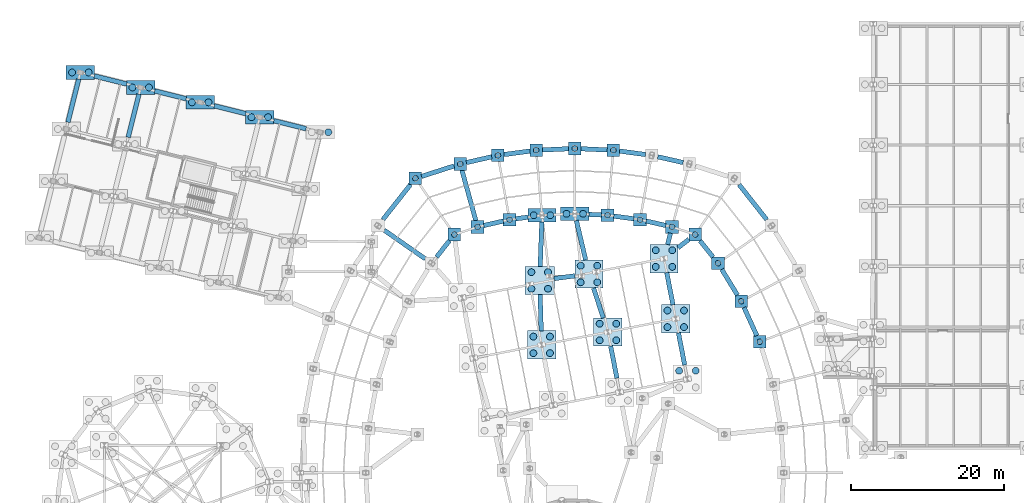
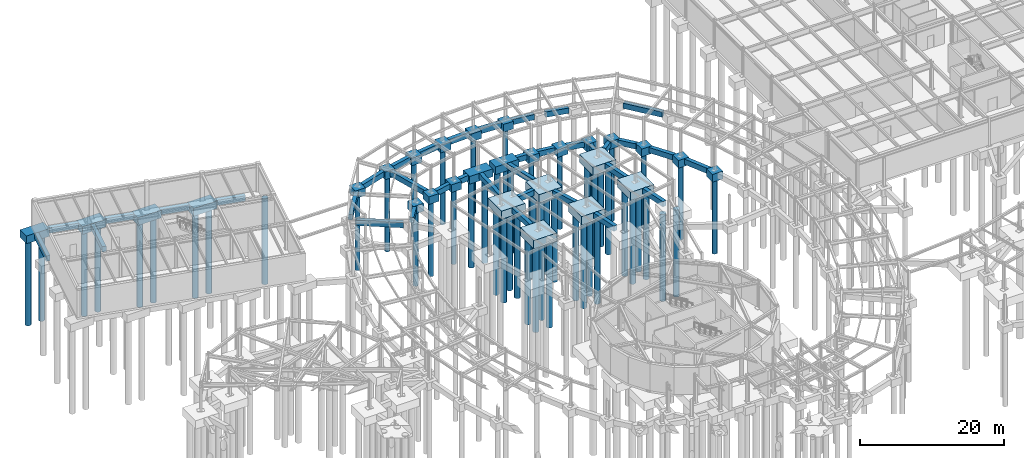
# One storey, part 7 of 50: 64 footings, 55 piles.
"""IFC4 building model written with IfcOpenShell, lengths in metres."""

from ifc_helpers import new_model, si_unit, direction, frame, origin, origin_2d, place, context, subcontext, project, spatial, rectangle, circle, extrude, material, material_profile, profile_set, type_object, element, save


model = new_model("IFC4")

# Units and contexts
model_context = context("Model", 3, precision=1e-05, world=origin(), true_north=direction((0.0, 1.0)))
body_context = subcontext(model_context, "Body", "Model", "MODEL_VIEW")
ifc_project = project(units=[si_unit("LENGTHUNIT", "METRE"), si_unit("AREAUNIT", "SQUARE_METRE"), si_unit("VOLUMEUNIT", "CUBIC_METRE"), si_unit("PLANEANGLEUNIT", "RADIAN"), si_unit("MASSUNIT", "GRAM", prefix="KILO")], contexts=[model_context])

# Site, building, storey
site_placement = place(None, origin())
site = spatial("IfcSite", under=ifc_project, at=site_placement, CompositionType="ELEMENT")
building_placement = place(site_placement, origin())
building = spatial("IfcBuilding", under=site, at=building_placement, Name="Varnklinge Art Gallery", CompositionType="ELEMENT")
storey_placement = place(building_placement, frame((0.0, 0.0, -4.800048828125)))
storey = spatial("IfcBuildingStorey", under=building, at=storey_placement, Name="B01", CompositionType="ELEMENT", Elevation=-4.800048828125)

# Footings
ifc_material_1 = material(Name="Concrete C35/45", Category="concrete")
footing_type_1 = type_object("IfcFootingType", Name="FB-08", PredefinedType="FOOTING_BEAM", material=ifc_material_1)
for number, where, z_axis, x_axis, name in (
    (1, (64.91259765625, 87.507568359375, -0.89990234375), (0.0, 0.0, 1.0), (0.975033218117, 0.222059054235, 0.0), "B01 Ground Tie Beam FBM-220"),
    (2, (86.08740234375, 87.507568359375, -0.89990234375), (0.0, 0.0, 1.0), (-0.975033218117, 0.222059054235, 0.0), "B01 Ground Tie Beam FBM-222"),
):
    element("IfcFooting", number, at=place(storey_placement, frame(where, z_axis=z_axis, x_axis=x_axis)), inside=storey, type_object=footing_type_1, Name=name, PredefinedType="FOOTING_BEAM", context=body_context, shape_type="SweptSolid", body=[
        extrude(rectangle(XDim=2.62255859375, YDim=0.60009765625, at=origin_2d()), origin(), (0.0, 0.0, 1.0), 0.89990234375),
    ])
footing_1_placement = place(storey_placement, frame((81.886474609375, 88.26806640625, -0.89990234375), z_axis=(0.0, 0.0, 1.0), x_axis=(-0.991006569622, 0.133813224182, 0.0)))
element("IfcFooting", 3, at=footing_1_placement, inside=storey, type_object=footing_type_1, Name="B01 Ground Tie Beam FBM-228", PredefinedType="FOOTING_BEAM", context=body_context, shape_type="SweptSolid", body=[
    extrude(rectangle(XDim=2.648681640625, YDim=0.60009765625, at=origin_2d()), origin(), (0.0, 0.0, 1.0), 0.89990234375),
])
ifc_material_2 = material(Name="Concrete C35/45", Category="concrete")
footing_type_2 = type_object("IfcFootingType", Name="FB-09", PredefinedType="FOOTING_BEAM", material=ifc_material_2)
for number, where, z_axis, x_axis, name in (
    (4, (63.02490234375, 95.7958984375, -0.89990234375), (0.0, 0.0, 1.0), (0.975033218117, 0.222059054235, 0.0), "B01 Ground Tie Beam FBM-243"),
    (5, (87.97509765625, 95.7958984375, -0.89990234375), (0.0, 0.0, 1.0), (-0.975033218117, 0.222059054235, 0.0), "B01 Ground Tie Beam FBM-244"),
):
    element("IfcFooting", number, at=place(storey_placement, frame(where, z_axis=z_axis, x_axis=x_axis)), inside=storey, type_object=footing_type_2, Name=name, PredefinedType="FOOTING_BEAM", context=body_context, shape_type="SweptSolid", body=[
        extrude(rectangle(XDim=3.384521484375, YDim=0.60009765625, at=origin_2d()), origin(), (0.0, 0.0, 1.0), 0.89990234375),
    ])
for number, where, z_axis, x_axis, name in (
    (6, (67.97509765625, 96.69189453125, -0.89990234375), (0.0, 0.0, 1.0), (0.991006569622, 0.133813224182, 0.0), "B01 Ground Tie Beam FBM-245"),
    (7, (83.02490234375, 96.69189453125, -0.89990234375), (0.0, 0.0, 1.0), (-0.991006569622, 0.133813224182, 0.0), "B01 Ground Tie Beam FBM-246"),
):
    element("IfcFooting", number, at=place(storey_placement, frame(where, z_axis=z_axis, x_axis=x_axis)), inside=storey, type_object=footing_type_2, Name=name, PredefinedType="FOOTING_BEAM", context=body_context, shape_type="SweptSolid", body=[
        extrude(rectangle(XDim=3.41064453125, YDim=0.60009765625, at=origin_2d()), origin(), (0.0, 0.0, 1.0), 0.89990234375),
    ])
for number, where, z_axis, x_axis, name in (
    (8, (72.985107421875, 97.14208984375, -0.89990234375), (0.0, 0.0, 1.0), (0.998994184858, 0.044839922168, 0.0), "B01 Ground Tie Beam FBM-247"),
    (9, (78.014892578125, 97.14208984375, -0.89990234375), (0.0, 0.0, 1.0), (-0.998994184858, 0.044839922168, 0.0), "B01 Ground Tie Beam FBM-248"),
):
    element("IfcFooting", number, at=place(storey_placement, frame(where, z_axis=z_axis, x_axis=x_axis)), inside=storey, type_object=footing_type_2, Name=name, PredefinedType="FOOTING_BEAM", context=body_context, shape_type="SweptSolid", body=[
        extrude(rectangle(XDim=3.423583984375, YDim=0.60009765625, at=origin_2d()), origin(), (0.0, 0.0, 1.0), 0.89990234375),
    ])
ifc_material_3 = material(Name="Concrete C35/45", Category="concrete")
footing_type_3 = type_object("IfcFootingType", Name="FB-11", PredefinedType="FOOTING_BEAM", material=ifc_material_3)
footing_2_placement = place(storey_placement, frame((61.699462890625, 91.135009765625, -0.89990234375), z_axis=(0.0, 0.0, 1.0), x_axis=(-0.265556117487, 0.964095404234, 0.0)))
element("IfcFooting", 10, at=footing_2_placement, inside=storey, type_object=footing_type_3, Name="B01 Ground Tie Beam FBM-221", PredefinedType="FOOTING_BEAM", context=body_context, shape_type="SweptSolid", body=[
    extrude(rectangle(XDim=6.83935546875, YDim=0.60009765625, at=origin_2d()), origin(), (0.0, 0.0, 1.0), 0.89990234375),
])
ifc_material_4 = material(Name="Concrete C35/45", Category="concrete")
footing_type_4 = type_object("IfcFootingType", Name="FB-13", PredefinedType="FOOTING_BEAM", material=ifc_material_4)
footing_3_placement = place(storey_placement, frame((89.6689453125, 84.870849609375, -0.89990234375), z_axis=(0.0, 0.0, 1.0), x_axis=(0.79175688964, 0.610836334633, 0.0)))
element("IfcFooting", 11, at=footing_3_placement, inside=storey, type_object=footing_type_4, Name="B01 Ground Tie Beam FBM-213", PredefinedType="FOOTING_BEAM", context=body_context, shape_type="SweptSolid", body=[
    extrude(rectangle(XDim=1.79833984375, YDim=0.60009765625, at=origin_2d()), origin(), (0.0, 0.0, 1.0), 0.89990234375),
])
ifc_material_5 = material(Name="Concrete C35/45", Category="concrete")
footing_type_5 = type_object("IfcFootingType", Name="FB-14", PredefinedType="FOOTING_BEAM", material=ifc_material_5)
for number, where, z_axis, x_axis, name in (
    (12, (80.58251953125, 69.41357421875, -0.89990234375), (0.0, 0.0, 1.0), (-0.190808995377, 0.981627183448, 0.0), "B01 Ground Tie Beam FBM-165"),
    (13, (89.4169921875, 71.130615234375, -0.89990234375), (0.0, 0.0, 1.0), (-0.190808995377, 0.981627183448, 0.0), "B01 Ground Tie Beam FBM-172"),
    (14, (87.890380859375, 78.9833984375, -0.89990234375), (0.0, 0.0, 1.0), (-0.190808995377, 0.981627183448, 0.0), "B01 Ground Tie Beam FBM-186"),
):
    element("IfcFooting", number, at=place(storey_placement, frame(where, z_axis=z_axis, x_axis=x_axis)), inside=storey, type_object=footing_type_5, Name=name, PredefinedType="FOOTING_BEAM", context=body_context, shape_type="SweptSolid", body=[
        extrude(rectangle(XDim=4.271484375, YDim=0.60009765625, at=origin_2d()), origin(), (0.0, 0.0, 1.0), 0.89990234375),
    ])
footing_4_placement = place(storey_placement, frame((30.56640625, 102.302490234375, -1.199951171875), z_axis=(0.0, 0.0, 1.0), x_axis=(-0.970295726276, 0.2419218956, 0.0)))
element("IfcFooting", 15, at=footing_4_placement, inside=storey, type_object=footing_type_5, Name="B01 Ground Tie Beam FBM-256", PredefinedType="FOOTING_BEAM", context=body_context, shape_type="SweptSolid", body=[
    extrude(rectangle(XDim=4.228515625, YDim=0.60009765625, at=origin_2d()), origin(), (0.0, 0.0, 1.0), 0.89990234375),
])
footing_5_placement = place(storey_placement, frame((22.803955078125, 104.238037109375, -1.199951171875), z_axis=(0.0, 0.0, 1.0), x_axis=(-0.970295726276, 0.2419218956, 0.0)))
element("IfcFooting", 16, at=footing_5_placement, inside=storey, type_object=footing_type_5, Name="B01 Ground Tie Beam FBM-257", PredefinedType="FOOTING_BEAM", context=body_context, shape_type="SweptSolid", body=[
    extrude(rectangle(XDim=4.227783203125, YDim=0.60009765625, at=origin_2d()), origin(), (0.0, 0.0, 1.0), 0.89990234375),
])
ifc_material_6 = material(Name="Concrete C35/45", Category="concrete")
footing_type_6 = type_object("IfcFootingType", Name="FB-15", PredefinedType="FOOTING_BEAM", material=ifc_material_6)
footing_6_placement = place(storey_placement, frame((74.16162109375, 80.479736328125, -0.89990234375), z_axis=(0.0, 0.0, 1.0), x_axis=(0.991558389436, 0.12966094377, 0.0)))
element("IfcFooting", 17, at=footing_6_placement, inside=storey, type_object=footing_type_6, Name="B01 Ground Tie Beam FBM-196", PredefinedType="FOOTING_BEAM", context=body_context, shape_type="SweptSolid", body=[
    extrude(rectangle(XDim=2.73193359375, YDim=0.60009765625, at=origin_2d()), origin(), (0.0, 0.0, 1.0), 0.89990234375),
])
for number, where, z_axis, x_axis, name in (
    (18, (58.325439453125, 84.172607421875, -0.89990234375), (0.0, 0.0, 1.0), (0.623060848454, 0.782173368969, 0.0), "B01 Ground Tie Beam FBM-210"),
    (19, (92.674560546875, 84.172607421875, -0.89990234375), (0.0, 0.0, 1.0), (-0.623060848454, 0.782173368969, 0.0), "B01 Ground Tie Beam FBM-211"),
):
    element("IfcFooting", number, at=place(storey_placement, frame(where, z_axis=z_axis, x_axis=x_axis)), inside=storey, type_object=footing_type_6, Name=name, PredefinedType="FOOTING_BEAM", context=body_context, shape_type="SweptSolid", body=[
        extrude(rectangle(XDim=2.719482421875, YDim=0.60009765625, at=origin_2d()), origin(), (0.0, 0.0, 1.0), 0.89990234375),
    ])
ifc_material_7 = material(Name="Concrete C35/45", Category="concrete")
footing_type_7 = type_object("IfcFootingType", Name="FB-16", PredefinedType="FOOTING_BEAM", material=ifc_material_7)
footing_7_placement = place(storey_placement, frame((57.6494140625, 94.298583984375, -0.89990234375), z_axis=(0.0, 0.0, 1.0), x_axis=(0.952076024345, 0.305861478234, 0.0)))
element("IfcFooting", 20, at=footing_7_placement, inside=storey, type_object=footing_type_7, Name="B01 Ground Tie Beam FBM-240", PredefinedType="FOOTING_BEAM", context=body_context, shape_type="SweptSolid", body=[
    extrude(rectangle(XDim=4.444091796875, YDim=0.60009765625, at=origin_2d()), origin(), (0.0, 0.0, 1.0), 0.89990234375),
])
footing_8_placement = place(storey_placement, frame((38.37744140625, 100.35498046875, -1.199951171875), z_axis=(0.0, 0.0, 1.0), x_axis=(-0.970295726276, 0.2419218956, 0.0)))
element("IfcFooting", 21, at=footing_8_placement, inside=storey, type_object=footing_type_7, Name="B01 Ground Tie Beam FBM-254", PredefinedType="FOOTING_BEAM", context=body_context, shape_type="SweptSolid", body=[
    extrude(rectangle(XDim=4.32763671875, YDim=0.60009765625, at=origin_2d()), origin(), (0.0, 0.0, 1.0), 0.89990234375),
])
footing_9_placement = place(storey_placement, frame((14.993408203125, 106.185546875, -1.199951171875), z_axis=(0.0, 0.0, 1.0), x_axis=(0.970295726276, -0.2419218956, 0.0)))
element("IfcFooting", 22, at=footing_9_placement, inside=storey, type_object=footing_type_7, Name="B01 Ground Tie Beam FBM-262", PredefinedType="FOOTING_BEAM", context=body_context, shape_type="SweptSolid", body=[
    extrude(rectangle(XDim=4.327392578125, YDim=0.60009765625, at=origin_2d()), origin(), (0.0, 0.0, 1.0), 0.89990234375),
])
ifc_material_8 = material(Name="Concrete C35/45", Category="concrete")
footing_type_8 = type_object("IfcFootingType", Name="FB-17", PredefinedType="FOOTING_BEAM", material=ifc_material_8)
for number, where, z_axis, x_axis, name in (
    (23, (52.28955078125, 90.267578125, -0.89990234375), (0.0, 0.0, 1.0), (0.619368038909, 0.785100778485, 0.0), "B01 Ground Tie Beam FBM-224"),
    (24, (98.71044921875, 90.267578125, -0.89990234375), (0.0, 0.0, 1.0), (-0.619368038909, 0.785100778485, 0.0), "B01 Ground Tie Beam FBM-226"),
):
    element("IfcFooting", number, at=place(storey_placement, frame(where, z_axis=z_axis, x_axis=x_axis)), inside=storey, type_object=footing_type_8, Name=name, PredefinedType="FOOTING_BEAM", context=body_context, shape_type="SweptSolid", body=[
        extrude(rectangle(XDim=5.8271484375, YDim=0.60009765625, at=origin_2d()), origin(), (0.0, 0.0, 1.0), 0.89990234375),
    ])
footing_10_placement = place(storey_placement, frame((71.095947265625, 84.780517578125, -0.89990234375), z_axis=(0.0, 0.0, 1.0), x_axis=(-0.035771616325, -0.999359990927, 0.0)))
element("IfcFooting", 25, at=footing_10_placement, inside=storey, type_object=footing_type_8, Name="B01 Ground Tie Beam FBM-229", PredefinedType="FOOTING_BEAM", context=body_context, shape_type="SweptSolid", body=[
    extrude(rectangle(XDim=5.790771484375, YDim=0.60009765625, at=origin_2d()), origin(), (0.0, 0.0, 1.0), 0.89990234375),
])
footing_11_placement = place(storey_placement, frame((18.00341796875, 101.5185546875, -1.199951171875), z_axis=(0.0, 0.0, 1.0), x_axis=(0.2419218956, 0.970295726276, 0.0)))
element("IfcFooting", 26, at=footing_11_placement, inside=storey, type_object=footing_type_8, Name="B01 Ground Tie Beam FBM-253", PredefinedType="FOOTING_BEAM", context=body_context, shape_type="SweptSolid", body=[
    extrude(rectangle(XDim=5.786865234375, YDim=0.60009765625, at=origin_2d()), origin(), (0.0, 0.0, 1.0), 0.89990234375),
])
footing_12_placement = place(storey_placement, frame((10.14453125, 103.47802734375, -1.199951171875), z_axis=(0.0, 0.0, 1.0), x_axis=(0.2419218956, 0.970295726276, 0.0)))
element("IfcFooting", 27, at=footing_12_placement, inside=storey, type_object=footing_type_8, Name="B01 Ground Tie Beam FBM-255", PredefinedType="FOOTING_BEAM", context=body_context, shape_type="SweptSolid", body=[
    extrude(rectangle(XDim=5.785888671875, YDim=0.60009765625, at=origin_2d()), origin(), (0.0, 0.0, 1.0), 0.89990234375),
])
ifc_material_9 = material(Name="Concrete C35/45", Category="concrete")
footing_type_9 = type_object("IfcFootingType", Name="FB-22", PredefinedType="FOOTING_BEAM", material=ifc_material_9)
footing_13_placement = place(storey_placement, frame((76.311279296875, 85.29541015625, -0.89990234375), z_axis=(0.0, 0.0, 1.0), x_axis=(0.228860603507, -0.973459205187, 0.0)))
element("IfcFooting", 28, at=footing_13_placement, inside=storey, type_object=footing_type_9, Name="B01 Ground Tie Beam FBM-231", PredefinedType="FOOTING_BEAM", context=body_context, shape_type="SweptSolid", body=[
    extrude(rectangle(XDim=5.279296875, YDim=0.60009765625, at=origin_2d()), origin(), (0.0, 0.0, 1.0), 0.89990234375),
])
ifc_material_10 = material(Name="Concrete C35/45", Category="concrete")
footing_type_10 = type_object("IfcFootingType", Name="FB-24", PredefinedType="FOOTING_BEAM", material=ifc_material_10)
footing_14_placement = place(storey_placement, frame((87.77880859375, 85.48388671875, -0.89990234375), z_axis=(0.0, 0.0, 1.0), x_axis=(0.245476582274, 0.969402520914, 0.0)))
element("IfcFooting", 29, at=footing_14_placement, inside=storey, type_object=footing_type_10, Name="B01 Ground Tie Beam FBM-212", PredefinedType="FOOTING_BEAM", context=body_context, shape_type="SweptSolid", body=[
    extrude(rectangle(XDim=1.534912109375, YDim=0.60009765625, at=origin_2d()), origin(), (0.0, 0.0, 1.0), 0.89990234375),
])
footing_15_placement = place(storey_placement, frame((68.60107421875, 88.19873046875, -0.89990234375), z_axis=(0.0, 0.0, 1.0), x_axis=(0.991006569622, 0.133813224182, 0.0)))
element("IfcFooting", 30, at=footing_15_placement, inside=storey, type_object=footing_type_10, Name="B01 Ground Tie Beam FBM-227", PredefinedType="FOOTING_BEAM", context=body_context, shape_type="SweptSolid", body=[
    extrude(rectangle(XDim=1.614501953125, YDim=0.60009765625, at=origin_2d()), origin(), (0.0, 0.0, 1.0), 0.89990234375),
])
footing_16_placement = place(storey_placement, frame((78.14697265625, 88.626708984375, -0.89990234375), z_axis=(0.0, 0.0, 1.0), x_axis=(-0.999001995685, 0.044665564108, 0.0)))
element("IfcFooting", 31, at=footing_16_placement, inside=storey, type_object=footing_type_10, Name="B01 Ground Tie Beam FBM-230", PredefinedType="FOOTING_BEAM", context=body_context, shape_type="SweptSolid", body=[
    extrude(rectangle(XDim=1.635498046875, YDim=0.60009765625, at=origin_2d()), origin(), (0.0, 0.0, 1.0), 0.89990234375),
])
ifc_material_11 = material(Name="Concrete C35/45", Category="concrete")
footing_type_11 = type_object("IfcFootingType", Name="FB-30", PredefinedType="FOOTING_BEAM", material=ifc_material_11)
footing_17_placement = place(storey_placement, frame((71.053955078125, 75.8583984375, -0.89990234375), z_axis=(0.0, 0.0, 1.0), x_axis=(-0.030189608314, 0.999544189894, 0.0)))
element("IfcFooting", 32, at=footing_17_placement, inside=storey, type_object=footing_type_11, Name="B01 Ground Tie Beam FBM-178", PredefinedType="FOOTING_BEAM", context=body_context, shape_type="SweptSolid", body=[
    extrude(rectangle(XDim=4.7392578125, YDim=0.60009765625, at=origin_2d()), origin(), (0.0, 0.0, 1.0), 0.89990234375),
])
ifc_material_12 = material(Name="Concrete C35/45", Category="concrete")
footing_type_12 = type_object("IfcFootingType", Name="FB-31", PredefinedType="FOOTING_BEAM", material=ifc_material_12)
footing_18_placement = place(storey_placement, frame((98.390380859375, 74.699951171875, -0.89990234375), z_axis=(0.0, 0.0, 1.0), x_axis=(-0.413263367815, 0.910611546611, 0.0)))
element("IfcFooting", 33, at=footing_18_placement, inside=storey, type_object=footing_type_12, Name="B01 Ground Tie Beam FBM-180", PredefinedType="FOOTING_BEAM", context=body_context, shape_type="SweptSolid", body=[
    extrude(rectangle(XDim=4.041259765625, YDim=0.60009765625, at=origin_2d()), origin(), (0.0, 0.0, 1.0), 0.89990234375),
])
footing_19_placement = place(storey_placement, frame((78.58251953125, 77.117919921875, -0.89990234375), z_axis=(0.0, 0.0, 1.0), x_axis=(-0.311008203279, 0.950407227189, 0.0)))
element("IfcFooting", 34, at=footing_19_placement, inside=storey, type_object=footing_type_12, Name="B01 Ground Tie Beam FBM-182", PredefinedType="FOOTING_BEAM", context=body_context, shape_type="SweptSolid", body=[
    extrude(rectangle(XDim=4.099365234375, YDim=0.60009765625, at=origin_2d()), origin(), (0.0, 0.0, 1.0), 0.89990234375),
])
footing_20_placement = place(storey_placement, frame((95.676513671875, 79.824462890625, -0.89990234375), z_axis=(0.0, 0.0, 1.0), x_axis=(-0.521009631841, 0.853550797275, 0.0)))
element("IfcFooting", 35, at=footing_20_placement, inside=storey, type_object=footing_type_12, Name="B01 Ground Tie Beam FBM-191", PredefinedType="FOOTING_BEAM", context=body_context, shape_type="SweptSolid", body=[
    extrude(rectangle(XDim=3.923583984375, YDim=0.60009765625, at=origin_2d()), origin(), (0.0, 0.0, 1.0), 0.89990234375),
])
ifc_material_13 = material(Name="Concrete C35/45", Category="concrete")
footing_type_13 = type_object("IfcFootingType", Name="FB-43", PredefinedType="FOOTING_BEAM", material=ifc_material_13)
footing_21_placement = place(storey_placement, frame((53.343505859375, 84.739501953125, -0.89990234375), z_axis=(0.0, 0.0, 1.0), x_axis=(0.820351542489, -0.571859551582, 0.0)))
element("IfcFooting", 36, at=footing_21_placement, inside=storey, type_object=footing_type_13, Name="B01 Ground Tie Beam FBM-225", PredefinedType="FOOTING_BEAM", context=body_context, shape_type="SweptSolid", body=[
    extrude(rectangle(XDim=6.5546875, YDim=0.60009765625, at=origin_2d()), origin(), (0.0, 0.0, 1.0), 0.89990234375),
])
ifc_material_14 = material(Name="Concrete C35/45", Category="concrete")
footing_type_14 = type_object("IfcFootingType", Name="PC-01", PredefinedType="PILE_CAP", material=ifc_material_14)
for number, where, z_axis, x_axis, name in (
    (37, (99.591064453125, 72.054931640625, -1.2998046875), (0.0, 0.0, 1.0), (1.0, 0.0, 0.0), "B01 Pile Cap FCAP-143"),
    (38, (97.18994140625, 77.344970703125, -1.2998046875), (0.0, 0.0, 1.0), (1.0, 0.0, 0.0), "B01 Pile Cap FCAP-154"),
    (39, (94.1630859375, 82.303955078125, -1.2998046875), (0.0, 0.0, 1.0), (1.0, 0.0, 0.0), "B01 Pile Cap FCAP-170"),
    (40, (59.81396484375, 86.041015625, -1.2998046875), (0.0, 0.0, 1.0), (1.0, 0.0, 0.0), "B01 Pile Cap FCAP-176"),
    (41, (91.18603515625, 86.041015625, -1.2998046875), (0.0, 0.0, 1.0), (1.0, 0.0, 0.0), "B01 Pile Cap FCAP-177"),
):
    element("IfcFooting", number, at=place(storey_placement, frame(where, z_axis=z_axis, x_axis=x_axis)), inside=storey, type_object=footing_type_14, Name=name, PredefinedType="PILE_CAP", context=body_context, shape_type="SweptSolid", body=[
        extrude(rectangle(XDim=1.64990234375, YDim=1.64990234375, at=origin_2d()), origin(), (0.0, 0.0, 1.0), 1.300048828125),
    ])
footing_22_placement = place(storey_placement, frame((62.8291015625, 87.032958984375, -1.2998046875), z_axis=(0.0, 0.0, 1.0), x_axis=(1.0, 0.0, 0.0)))
element("IfcFooting", 42, at=footing_22_placement, inside=storey, type_object=footing_type_14, Name="B01 Pile Cap FCAP-178", PredefinedType="PILE_CAP", context=body_context, shape_type="SweptSolid", body=[
    extrude(rectangle(XDim=1.65087890625, YDim=1.64990234375, at=origin_2d()), origin(), (0.0, 0.0, 1.0), 1.300048828125),
])
for number, where, z_axis, x_axis, name in (
    (43, (88.1708984375, 87.032958984375, -1.2998046875), (0.0, 0.0, 1.0), (1.0, 0.0, 0.0), "B01 Pile Cap FCAP-179"),
    (44, (66.99609375, 87.98193359375, -1.2998046875), (0.0, 0.0, 1.0), (1.0, 0.0, 0.0), "B01 Pile Cap FCAP-183"),
    (45, (84.00390625, 87.98193359375, -1.2998046875), (0.0, 0.0, 1.0), (1.0, 0.0, 0.0), "B01 Pile Cap FCAP-184"),
    (46, (79.76904296875, 88.553955078125, -1.2998046875), (0.0, 0.0, 1.0), (1.0, 0.0, 0.0), "B01 Pile Cap FCAP-186"),
    (47, (54.72900390625, 93.360107421875, -1.2998046875), (0.0, 0.0, 1.0), (1.0, 0.0, 0.0), "B01 Pile Cap FCAP-196"),
    (48, (60.570068359375, 95.237060546875, -1.2998046875), (0.0, 0.0, 1.0), (1.0, 0.0, 0.0), "B01 Pile Cap FCAP-199"),
    (49, (65.47998046875, 96.35498046875, -1.2998046875), (0.0, 0.0, 1.0), (1.0, 0.0, 0.0), "B01 Pile Cap FCAP-201"),
    (50, (70.469970703125, 97.029052734375, -1.2998046875), (0.0, 0.0, 1.0), (1.0, 0.0, 0.0), "B01 Pile Cap FCAP-203"),
    (51, (80.530029296875, 97.029052734375, -1.2998046875), (0.0, 0.0, 1.0), (1.0, 0.0, 0.0), "B01 Pile Cap FCAP-204"),
    (52, (75.5, 97.2548828125, -1.2998046875), (0.0, 0.0, 1.0), (1.0, 0.0, 0.0), "B01 Pile Cap FCAP-205"),
):
    element("IfcFooting", number, at=place(storey_placement, frame(where, z_axis=z_axis, x_axis=x_axis)), inside=storey, type_object=footing_type_14, Name=name, PredefinedType="PILE_CAP", context=body_context, shape_type="SweptSolid", body=[
        extrude(rectangle(XDim=1.64990234375, YDim=1.64990234375, at=origin_2d()), origin(), (0.0, 0.0, 1.0), 1.300048828125),
    ])
ifc_material_15 = material(Name="Concrete C35/45", Category="concrete")
footing_type_15 = type_object("IfcFootingType", Name="PC-02", PredefinedType="PILE_CAP", material=ifc_material_15)
for number, where, z_axis, x_axis, name in (
    (53, (71.180908203125, 71.659912109375, -1.39990234375), (0.0, 0.0, 1.0), (1.0, 0.0, 0.0), "B01 Pile Cap FCAP-141"),
    (54, (79.819091796875, 73.340087890625, -1.39990234375), (0.0, 0.0, 1.0), (1.0, 0.0, 0.0), "B01 Pile Cap FCAP-145"),
    (55, (88.654052734375, 75.056884765625, -1.39990234375), (0.0, 0.0, 1.0), (1.0, 0.0, 0.0), "B01 Pile Cap FCAP-150"),
    (56, (77.345947265625, 80.89599609375, -1.39990234375), (0.0, 0.0, 1.0), (1.0, 0.0, 0.0), "B01 Pile Cap FCAP-159"),
    (57, (87.126953125, 82.909912109375, -1.39990234375), (0.0, 0.0, 1.0), (1.0, 0.0, 0.0), "B01 Pile Cap FCAP-171"),
):
    element("IfcFooting", number, at=place(storey_placement, frame(where, z_axis=z_axis, x_axis=x_axis)), inside=storey, type_object=footing_type_15, Name=name, PredefinedType="PILE_CAP", context=body_context, shape_type="SweptSolid", body=[
        extrude(rectangle(XDim=3.699951171875, YDim=3.699951171875, at=origin_2d()), origin(), (0.0, 0.0, 1.0), 1.39990234375),
    ])
ifc_material_16 = material(Name="Concrete C35/45", Category="concrete")
footing_type_16 = type_object("IfcFootingType", Name="PC-06", PredefinedType="PILE_CAP", material=ifc_material_16)
for number, where, z_axis, x_axis, name in (
    (58, (71.23095703125, 88.553955078125, -1.2998046875), (0.0, 0.0, 1.0), (1.0, 0.0, 0.0), "B01 Pile Cap FCAP-185"),
    (59, (75.5, 88.7451171875, -1.2998046875), (0.0, 0.0, 1.0), (1.0, 0.0, 0.0), "B01 Pile Cap FCAP-187"),
    (60, (34.447998046875, 101.3349609375, -1.60009765625), (0.0, 0.0, 1.0), (1.0, 0.0, 0.0), "B01 Pile Cap FCAP-213"),
    (61, (26.68505859375, 103.27001953125, -1.60009765625), (0.0, 0.0, 1.0), (1.0, 0.0, 0.0), "B01 Pile Cap FCAP-214"),
    (62, (18.923095703125, 105.2060546875, -1.60009765625), (0.0, 0.0, 1.0), (1.0, 0.0, 0.0), "B01 Pile Cap FCAP-215"),
    (63, (11.06396484375, 107.1650390625, -1.60009765625), (0.0, 0.0, 1.0), (1.0, 0.0, 0.0), "B01 Pile Cap FCAP-220"),
):
    element("IfcFooting", number, at=place(storey_placement, frame(where, z_axis=z_axis, x_axis=x_axis)), inside=storey, type_object=footing_type_16, Name=name, PredefinedType="PILE_CAP", context=body_context, shape_type="SweptSolid", body=[
        extrude(rectangle(XDim=3.699951171875, YDim=1.800048828125, at=origin_2d()), origin(), (0.0, 0.0, 1.0), 1.300048828125),
    ])
ifc_material_17 = material(Name="Concrete C35/45", Category="concrete")
footing_type_17 = type_object("IfcFootingType", Name="PC-14", PredefinedType="PILE_CAP", material=ifc_material_17)
footing_23_placement = place(storey_placement, frame((70.927001953125, 80.056884765625, -1.39990234375), z_axis=(0.0, 0.0, 1.0), x_axis=(1.0, 0.0, 0.0)))
element("IfcFooting", 64, at=footing_23_placement, inside=storey, type_object=footing_type_17, Name="B01 Pile Cap FCAP-157", PredefinedType="PILE_CAP", context=body_context, shape_type="SweptSolid", body=[
    extrude(rectangle(XDim=3.800048828125, YDim=3.699951171875, at=origin_2d()), origin(), (0.0, 0.0, 1.0), 1.39990234375),
])

# Piles
ifc_material_18 = material(Name="Concrete C35/45", Category="concrete")
ifc_material_profile_1 = material_profile(ifc_material_18, circle(Radius=0.375, at=origin_2d()), Name="PILE D750")
ifc_profile_set_1 = profile_set([ifc_material_profile_1], Name="Concrete C35/45")
pile_type_1 = type_object("IfcPileType", Name="PIL-D750", PredefinedType="BORED", material=ifc_profile_set_1)
for number, where, z_axis, x_axis, name in (
    (65, (99.591064453125, 72.054931640625, -1.199951171875), (0.0, 0.0, -1.0), (1.0, 0.0, 0.0), "B01 Bored Pile PILE-D750-254"),
    (66, (97.18994140625, 77.344970703125, -1.199951171875), (0.0, 0.0, -1.0), (1.0, 0.0, 0.0), "B01 Bored Pile PILE-D750-278"),
    (67, (94.1630859375, 82.303955078125, -1.199951171875), (0.0, 0.0, -1.0), (1.0, 0.0, 0.0), "B01 Bored Pile PILE-D750-310"),
    (68, (59.81396484375, 86.041015625, -1.199951171875), (0.0, 0.0, -1.0), (1.0, 0.0, 0.0), "B01 Bored Pile PILE-D750-322"),
    (69, (91.18603515625, 86.041015625, -1.199951171875), (0.0, 0.0, -1.0), (1.0, 0.0, 0.0), "B01 Bored Pile PILE-D750-323"),
    (70, (62.8291015625, 87.032958984375, -1.199951171875), (0.0, 0.0, -1.0), (1.0, 0.0, 0.0), "B01 Bored Pile PILE-D750-324"),
    (71, (88.1708984375, 87.032958984375, -1.199951171875), (0.0, 0.0, -1.0), (1.0, 0.0, 0.0), "B01 Bored Pile PILE-D750-325"),
    (72, (66.99609375, 87.98193359375, -1.199951171875), (0.0, 0.0, -1.0), (1.0, 0.0, 0.0), "B01 Bored Pile PILE-D750-330"),
    (73, (84.00390625, 87.98193359375, -1.199951171875), (0.0, 0.0, -1.0), (1.0, 0.0, 0.0), "B01 Bored Pile PILE-D750-331"),
    (74, (79.76904296875, 88.553955078125, -1.199951171875), (0.0, 0.0, -1.0), (1.0, 0.0, 0.0), "B01 Bored Pile PILE-D750-334"),
    (75, (54.72900390625, 93.360107421875, -1.199951171875), (0.0, 0.0, -1.0), (1.0, 0.0, 0.0), "B01 Bored Pile PILE-D750-353"),
    (76, (60.570068359375, 95.237060546875, -1.199951171875), (0.0, 0.0, -1.0), (1.0, 0.0, 0.0), "B01 Bored Pile PILE-D750-357"),
    (77, (65.47998046875, 96.35498046875, -1.199951171875), (0.0, 0.0, -1.0), (1.0, 0.0, 0.0), "B01 Bored Pile PILE-D750-359"),
    (78, (70.469970703125, 97.029052734375, -1.199951171875), (0.0, 0.0, -1.0), (1.0, 0.0, 0.0), "B01 Bored Pile PILE-D750-361"),
    (79, (80.530029296875, 97.029052734375, -1.199951171875), (0.0, 0.0, -1.0), (1.0, 0.0, 0.0), "B01 Bored Pile PILE-D750-362"),
    (80, (75.5, 97.2548828125, -1.199951171875), (0.0, 0.0, -1.0), (1.0, 0.0, 0.0), "B01 Bored Pile PILE-D750-363"),
):
    element("IfcPile", number, at=place(storey_placement, frame(where, z_axis=z_axis, x_axis=x_axis)), inside=storey, type_object=pile_type_1, Name=name, PredefinedType="BORED", context=body_context, shape_type="SweptSolid", body=[
        extrude(circle(Radius=0.375, at=origin_2d()), origin(), (0.0, 0.0, 1.0), 12.800048828125),
    ])
ifc_material_19 = material(Name="Concrete C35/45", Category="concrete")
ifc_material_profile_2 = material_profile(ifc_material_19, circle(Radius=0.449951171875, at=origin_2d()), Name="PILE D900")
ifc_profile_set_2 = profile_set([ifc_material_profile_2], Name="Concrete C35/45")
pile_type_2 = type_object("IfcPileType", Name="PIL-D900", PredefinedType="BORED", material=ifc_profile_set_2)
for number, where, z_axis, x_axis, name in (
    (81, (89.10009765625, 68.283935546875, -1.300048828125), (0.0, 0.0, -1.0), (1.0, 0.0, 0.0), "B01 Bored Pile PILE-D900-239"),
    (82, (91.260009765625, 68.283935546875, -1.300048828125), (0.0, 0.0, -1.0), (1.0, 0.0, 0.0), "B01 Bored Pile PILE-D900-241"),
    (83, (70.10107421875, 70.580078125, -1.300048828125), (0.0, 0.0, -1.0), (1.0, 0.0, 0.0), "B01 Bored Pile PILE-D900-249"),
    (84, (70.10107421875, 72.739990234375, -1.300048828125), (0.0, 0.0, -1.0), (1.0, 0.0, 0.0), "B01 Bored Pile PILE-D900-250"),
    (85, (72.260986328125, 70.580078125, -1.300048828125), (0.0, 0.0, -1.0), (1.0, 0.0, 0.0), "B01 Bored Pile PILE-D900-251"),
    (86, (72.260986328125, 72.739990234375, -1.300048828125), (0.0, 0.0, -1.0), (1.0, 0.0, 0.0), "B01 Bored Pile PILE-D900-252"),
    (87, (78.739013671875, 72.260009765625, -1.300048828125), (0.0, 0.0, -1.0), (1.0, 0.0, 0.0), "B01 Bored Pile PILE-D900-257"),
    (88, (78.739013671875, 74.419921875, -1.300048828125), (0.0, 0.0, -1.0), (1.0, 0.0, 0.0), "B01 Bored Pile PILE-D900-258"),
    (89, (80.89892578125, 72.260009765625, -1.300048828125), (0.0, 0.0, -1.0), (1.0, 0.0, 0.0), "B01 Bored Pile PILE-D900-259"),
    (90, (80.89892578125, 74.419921875, -1.300048828125), (0.0, 0.0, -1.0), (1.0, 0.0, 0.0), "B01 Bored Pile PILE-D900-260"),
    (91, (87.573974609375, 73.97705078125, -1.300048828125), (0.0, 0.0, -1.0), (1.0, 0.0, 0.0), "B01 Bored Pile PILE-D900-271"),
    (92, (87.573974609375, 76.136962890625, -1.300048828125), (0.0, 0.0, -1.0), (1.0, 0.0, 0.0), "B01 Bored Pile PILE-D900-272"),
    (93, (89.73388671875, 73.97705078125, -1.300048828125), (0.0, 0.0, -1.0), (1.0, 0.0, 0.0), "B01 Bored Pile PILE-D900-273"),
    (94, (89.73388671875, 76.136962890625, -1.300048828125), (0.0, 0.0, -1.0), (1.0, 0.0, 0.0), "B01 Bored Pile PILE-D900-274"),
    (95, (69.846923828125, 78.97705078125, -1.300048828125), (0.0, 0.0, -1.0), (1.0, 0.0, 0.0), "B01 Bored Pile PILE-D900-285"),
    (96, (69.846923828125, 81.136962890625, -1.300048828125), (0.0, 0.0, -1.0), (1.0, 0.0, 0.0), "B01 Bored Pile PILE-D900-286"),
    (97, (72.007080078125, 78.97705078125, -1.300048828125), (0.0, 0.0, -1.0), (1.0, 0.0, 0.0), "B01 Bored Pile PILE-D900-287"),
    (98, (72.007080078125, 81.136962890625, -1.300048828125), (0.0, 0.0, -1.0), (1.0, 0.0, 0.0), "B01 Bored Pile PILE-D900-288"),
    (99, (76.26611328125, 79.81591796875, -1.300048828125), (0.0, 0.0, -1.0), (1.0, 0.0, 0.0), "B01 Bored Pile PILE-D900-291"),
    (100, (76.26611328125, 81.97607421875, -1.300048828125), (0.0, 0.0, -1.0), (1.0, 0.0, 0.0), "B01 Bored Pile PILE-D900-292"),
    (101, (78.426025390625, 79.81591796875, -1.300048828125), (0.0, 0.0, -1.0), (1.0, 0.0, 0.0), "B01 Bored Pile PILE-D900-293"),
    (102, (78.426025390625, 81.97607421875, -1.300048828125), (0.0, 0.0, -1.0), (1.0, 0.0, 0.0), "B01 Bored Pile PILE-D900-294"),
    (103, (86.047119140625, 81.830078125, -1.300048828125), (0.0, 0.0, -1.0), (1.0, 0.0, 0.0), "B01 Bored Pile PILE-D900-311"),
    (104, (86.047119140625, 83.989990234375, -1.300048828125), (0.0, 0.0, -1.0), (1.0, 0.0, 0.0), "B01 Bored Pile PILE-D900-312"),
    (105, (88.20703125, 81.830078125, -1.300048828125), (0.0, 0.0, -1.0), (1.0, 0.0, 0.0), "B01 Bored Pile PILE-D900-313"),
    (106, (88.20703125, 83.989990234375, -1.300048828125), (0.0, 0.0, -1.0), (1.0, 0.0, 0.0), "B01 Bored Pile PILE-D900-314"),
):
    element("IfcPile", number, at=place(storey_placement, frame(where, z_axis=z_axis, x_axis=x_axis)), inside=storey, type_object=pile_type_2, Name=name, PredefinedType="BORED", context=body_context, shape_type="SweptSolid", body=[
        extrude(circle(Radius=0.449951171875, at=origin_2d()), origin(), (0.0, 0.0, 1.0), 14.699951171875),
    ])
for number, where, z_axis, x_axis, name in (
    (107, (70.15087890625, 88.553955078125, -1.199951171875), (0.0, 0.0, -1.0), (1.0, 0.0, 0.0), "B01 Bored Pile PILE-D900-332"),
    (108, (72.31103515625, 88.553955078125, -1.199951171875), (0.0, 0.0, -1.0), (1.0, 0.0, 0.0), "B01 Bored Pile PILE-D900-333"),
    (109, (74.419921875, 88.7451171875, -1.199951171875), (0.0, 0.0, -1.0), (1.0, 0.0, 0.0), "B01 Bored Pile PILE-D900-335"),
    (110, (76.580078125, 88.7451171875, -1.199951171875), (0.0, 0.0, -1.0), (1.0, 0.0, 0.0), "B01 Bored Pile PILE-D900-336"),
):
    element("IfcPile", number, at=place(storey_placement, frame(where, z_axis=z_axis, x_axis=x_axis)), inside=storey, type_object=pile_type_2, Name=name, PredefinedType="BORED", context=body_context, shape_type="SweptSolid", body=[
        extrude(circle(Radius=0.449951171875, at=origin_2d()), origin(), (0.0, 0.0, 1.0), 14.800048828125),
    ])
for number, where, z_axis, x_axis, name in (
    (111, (43.386962890625, 99.375, -1.5), (0.0, 0.0, -1.0), (1.0, 0.0, 0.0), "B01 Bored Pile PILE-D900-375"),
    (112, (33.367919921875, 101.3349609375, -1.5), (0.0, 0.0, -1.0), (1.0, 0.0, 0.0), "B01 Bored Pile PILE-D900-378"),
    (113, (35.528076171875, 101.3349609375, -1.5), (0.0, 0.0, -1.0), (1.0, 0.0, 0.0), "B01 Bored Pile PILE-D900-379"),
    (114, (25.60498046875, 103.27001953125, -1.5), (0.0, 0.0, -1.0), (1.0, 0.0, 0.0), "B01 Bored Pile PILE-D900-380"),
    (115, (27.764892578125, 103.27001953125, -1.5), (0.0, 0.0, -1.0), (1.0, 0.0, 0.0), "B01 Bored Pile PILE-D900-381"),
    (116, (17.843017578125, 105.2060546875, -1.5), (0.0, 0.0, -1.0), (1.0, 0.0, 0.0), "B01 Bored Pile PILE-D900-382"),
    (117, (20.0029296875, 105.2060546875, -1.5), (0.0, 0.0, -1.0), (1.0, 0.0, 0.0), "B01 Bored Pile PILE-D900-383"),
    (118, (9.98388671875, 107.1650390625, -1.5), (0.0, 0.0, -1.0), (1.0, 0.0, 0.0), "B01 Bored Pile PILE-D900-392"),
    (119, (12.14404296875, 107.1650390625, -1.5), (0.0, 0.0, -1.0), (1.0, 0.0, 0.0), "B01 Bored Pile PILE-D900-393"),
):
    element("IfcPile", number, at=place(storey_placement, frame(where, z_axis=z_axis, x_axis=x_axis)), inside=storey, type_object=pile_type_2, Name=name, PredefinedType="BORED", context=body_context, shape_type="SweptSolid", body=[
        extrude(circle(Radius=0.449951171875, at=origin_2d()), origin(), (0.0, 0.0, 1.0), 14.5),
    ])

save(model, "model.ifc")
